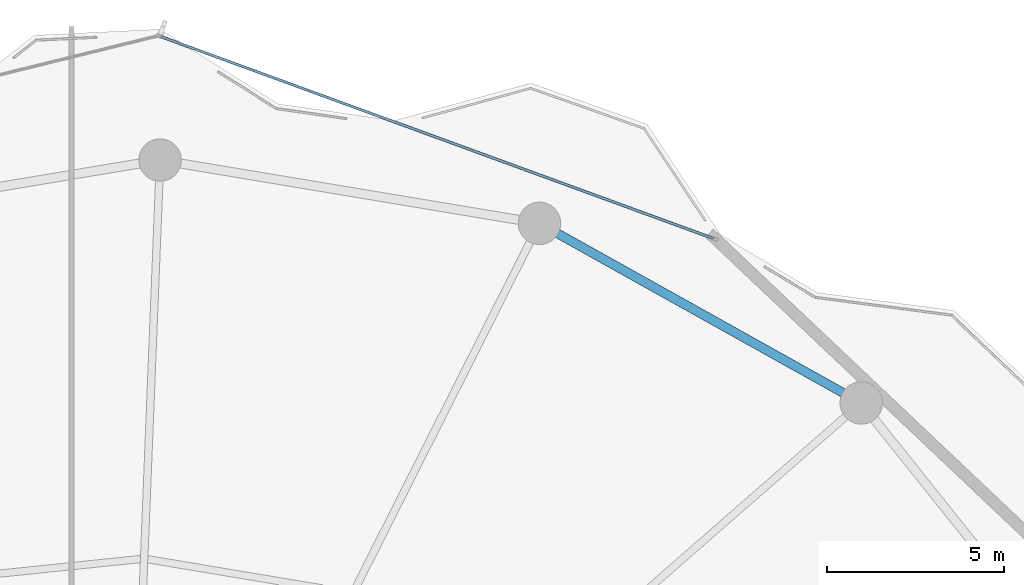
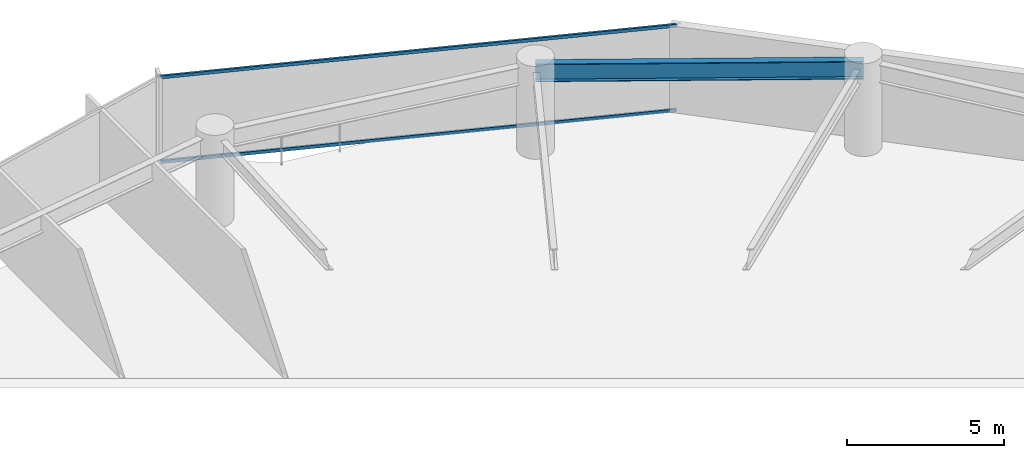
# One storey, part 20 of 28: 2 members, 1 beam, 1 element without a shape of its own.
"""IFC4 building model written with IfcOpenShell, lengths in metres."""

from ifc_helpers import new_model, si_unit, direction, frame, origin, origin_2d, place, context, subcontext, project, spatial, hollow_rectangle, i_section, extrude, material, layer, layer_set, material_profile, profile_set, type_object, element, aggregate, save


model = new_model("IFC4")

# Units and contexts
model_context = context("Model", 3, precision=1e-05, world=origin(), true_north=direction((0.0, 1.0)))
body_context = subcontext(model_context, "Body", "Model", "MODEL_VIEW")
ifc_project = project(units=[si_unit("LENGTHUNIT", "METRE"), si_unit("AREAUNIT", "SQUARE_METRE"), si_unit("VOLUMEUNIT", "CUBIC_METRE"), si_unit("PLANEANGLEUNIT", "RADIAN"), si_unit("MASSUNIT", "GRAM", prefix="KILO")], contexts=[model_context])

# Site, building, storey
site_placement = place(None, origin())
site = spatial("IfcSite", under=ifc_project, at=site_placement, CompositionType="ELEMENT")
building_placement = place(site_placement, origin())
building = spatial("IfcBuilding", under=site, at=building_placement, Name="Kazevale Care Tower and Concert Hall", CompositionType="ELEMENT")
storey_placement = place(building_placement, frame((0.0, 0.0, 102.60009765625)))
storey = spatial("IfcBuildingStorey", under=building, at=storey_placement, Name="L26", CompositionType="ELEMENT", Elevation=102.60009765625)

# Curtain wall, members
ifc_material_1 = material(Name="Aluminium 6063-T6 and Low-E Glass", Category="aluminium")
ifc_layer = layer(ifc_material_1, 0.179931640625)
ifc_layer_set = layer_set([ifc_layer], Name="Aluminium 6063-T6 and Low-E Glass")
curtain_wall_type = type_object("IfcCurtainWallType", Name="Convex Checkerboard Finned Curtain Wall CW-2", PredefinedType="NOTDEFINED", material=ifc_layer_set)
curtain_wall_placement = place(storey_placement, origin())
curtain_wall = element("IfcCurtainWall", 1, at=curtain_wall_placement, inside=storey, type_object=curtain_wall_type, Name="cw:L26:f16", PredefinedType="NOTDEFINED")
ifc_material_2 = material(Name="Aluminium 6063-T6", Category="aluminium")
ifc_material_profile_1 = material_profile(ifc_material_2, hollow_rectangle(XDim=0.074951171875, YDim=0.1201171875, WallThickness=0.00390625, at=origin_2d()), Name="ALU75x120x4")
ifc_profile_set_1 = profile_set([ifc_material_profile_1], Name="Aluminium 6063-T6")
member_type = type_object("IfcMemberType", Name="CW-2 Transom ALU75x120x4", PredefinedType="USERDEFINED", material=ifc_profile_set_1)
member_1_placement = place(storey_placement, frame((45.027099609375, 64.939453125, 0.037353515625), z_axis=(0.939285028824, -0.343137923622, 0.0), x_axis=(0.343137923622, 0.939285028824, 0.0)))
member_1 = element("IfcMember", 2, at=member_1_placement, type_object=member_type, Name="CW-2 transom 1.1", ObjectType="TRANSOM", PredefinedType="USERDEFINED", context=body_context, shape_type="SweptSolid", body=[
    extrude(hollow_rectangle(XDim=0.074951171875, YDim=0.1201171875, WallThickness=0.00390625, at=origin_2d()), origin(), (0.0, 0.0, 1.0), 16.634765625),
])
member_2_placement = place(storey_placement, frame((45.027099609375, 64.939453125, 3.322509765625), z_axis=(0.939285028824, -0.343137923622, 0.0), x_axis=(0.343137923622, 0.939285028824, 0.0)))
member_2 = element("IfcMember", 3, at=member_2_placement, type_object=member_type, Name="CW-2 transom 1.2", ObjectType="TRANSOM", PredefinedType="USERDEFINED", context=body_context, shape_type="SweptSolid", body=[
    extrude(hollow_rectangle(XDim=0.074951171875, YDim=0.1201171875, WallThickness=0.00390625, at=origin_2d()), origin(), (0.0, 0.0, 1.0), 16.634765625),
])
aggregate(curtain_wall, [member_1, member_2])

# Beam
ifc_material_3 = material(Name="Steel ASTM A572 Gr 50", Category="steel")
ifc_material_profile_2 = material_profile(ifc_material_3, i_section(OverallWidth=0.256103515625, OverallDepth=0.693115234375, WebThickness=0.014404296875, FlangeThickness=0.023681640625, at=origin_2d()), Name="W690x170")
ifc_profile_set_2 = profile_set([ifc_material_profile_2], Name="Steel ASTM A572 Gr 50")
beam_type = type_object("IfcBeamType", Name="Waist Ring Beam W690x170", PredefinedType="BEAM", material=ifc_profile_set_2)
beam_placement = place(storey_placement, frame((64.830078125, 54.580078125, 3.013427734375), z_axis=(-0.873168720251, 0.487418081297, 0.0), x_axis=(-0.487418081297, -0.873168720251, 0.0)))
element("IfcBeam", 4, at=beam_placement, inside=storey, type_object=beam_type, Name="beam:L26:ring:03", PredefinedType="BEAM", context=body_context, shape_type="SweptSolid", body=[
    extrude(i_section(OverallWidth=0.256103515625, OverallDepth=0.693115234375, WebThickness=0.014404296875, FlangeThickness=0.023681640625, at=origin_2d()), origin(), (0.0, 0.0, 1.0), 10.421875),
])

save(model, "model.ifc")
